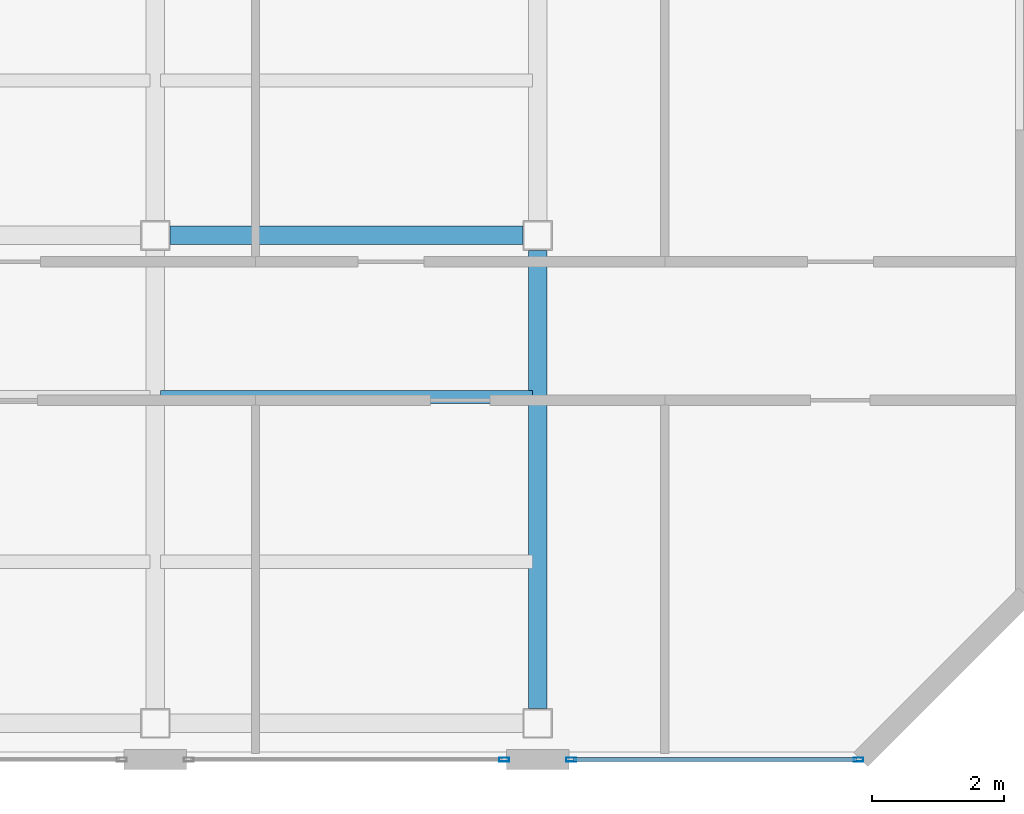
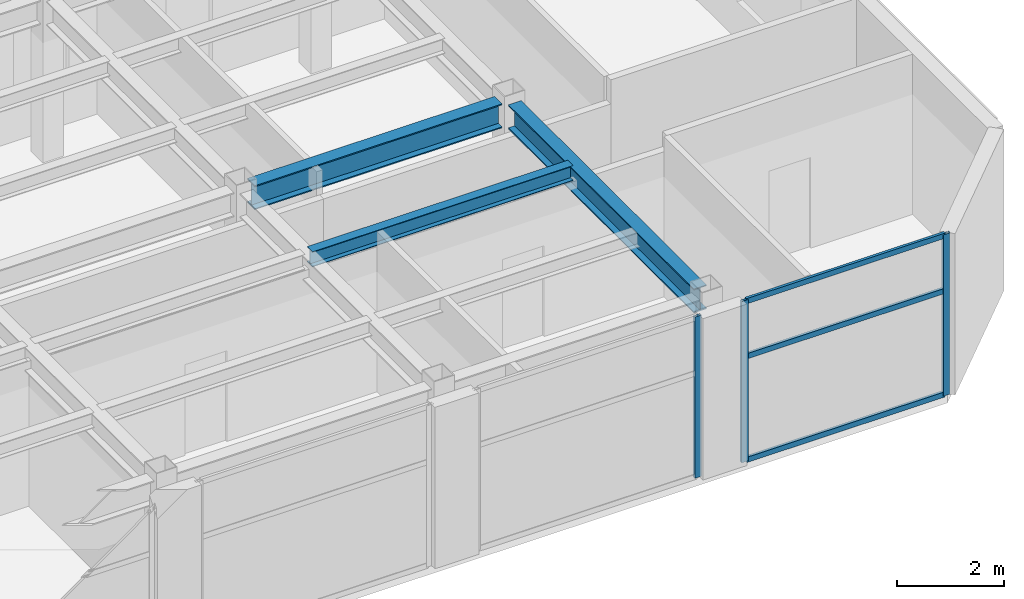
# One storey, part 7 of 16: 6 members, 3 beams, 2 elements without a shape of their own.
"""IFC4 building model written with IfcOpenShell, lengths in metres."""

from ifc_helpers import new_model, si_unit, direction, frame, origin, origin_2d, place, context, subcontext, project, spatial, hollow_rectangle, i_section, extrude, material, layer, layer_set, material_profile, profile_set, type_object, element, aggregate, save


model = new_model("IFC4")

# Units and contexts
model_context = context("Model", 3, precision=1e-05, world=origin(), true_north=direction((0.0, 1.0)))
body_context = subcontext(model_context, "Body", "Model", "MODEL_VIEW")
ifc_project = project(units=[si_unit("LENGTHUNIT", "METRE"), si_unit("AREAUNIT", "SQUARE_METRE"), si_unit("VOLUMEUNIT", "CUBIC_METRE"), si_unit("PLANEANGLEUNIT", "RADIAN"), si_unit("MASSUNIT", "GRAM", prefix="KILO")], contexts=[model_context])

# Site, building, storey
site_placement = place(None, origin())
site = spatial("IfcSite", under=ifc_project, at=site_placement, CompositionType="ELEMENT")
building_placement = place(site_placement, origin())
building = spatial("IfcBuilding", under=site, at=building_placement, Name="Mawjaban Terraces University", CompositionType="ELEMENT")
storey_placement = place(building_placement, frame((0.0, 0.0, 230.39990234375)))
storey = spatial("IfcBuildingStorey", under=building, at=storey_placement, Name="L56", CompositionType="ELEMENT", Elevation=230.39990234375)

# Beams
ifc_material_1 = material(Name="Steel ASTM A572 Grade 50", Category="steel")
ifc_material_profile_1 = material_profile(ifc_material_1, i_section(OverallWidth=0.281005859375, OverallDepth=0.551025390625, WebThickness=0.01513671875, FlangeThickness=0.02587890625, at=origin_2d()), Name="W530X182")
ifc_profile_set_1 = profile_set([ifc_material_profile_1], Name="Steel ASTM A572 Grade 50")
beam_type_1 = type_object("IfcBeamType", Name="Beam_B_W530X182", PredefinedType="BEAM", material=ifc_profile_set_1)
beam_1_placement = place(storey_placement, frame((52.22509765625, 7.949951171875, 3.4150390625), z_axis=(1.0, 0.0, 0.0), x_axis=(0.0, 1.0, 0.0)))
element("IfcBeam", 1, at=beam_1_placement, inside=storey, type_object=beam_type_1, Name="L56 Beam BM-L56-EW-06", PredefinedType="BEAM", context=body_context, shape_type="SweptSolid", body=[
    extrude(i_section(OverallWidth=0.281005859375, OverallDepth=0.551025390625, WebThickness=0.01513671875, FlangeThickness=0.02587890625, at=origin_2d()), origin(), (0.0, 0.0, 1.0), 5.349853515625),
])
beam_2_placement = place(storey_placement, frame((57.800048828125, 0.77490234375, 3.4150390625), z_axis=(0.0, 1.0, 0.0), x_axis=(-1.0, 0.0, 0.0)))
element("IfcBeam", 2, at=beam_2_placement, inside=storey, type_object=beam_type_1, Name="L56 Beam BM-L56-NS-14", PredefinedType="BEAM", context=body_context, shape_type="SweptSolid", body=[
    extrude(i_section(OverallWidth=0.281005859375, OverallDepth=0.551025390625, WebThickness=0.01513671875, FlangeThickness=0.02587890625, at=origin_2d()), origin(), (0.0, 0.0, 1.0), 6.9501953125),
])
ifc_material_profile_2 = material_profile(ifc_material_1, i_section(OverallWidth=0.202880859375, OverallDepth=0.346923828125, WebThickness=0.0078125, FlangeThickness=0.013427734375, at=origin_2d()), Name="W360X64")
ifc_profile_set_2 = profile_set([ifc_material_profile_2], Name="Steel ASTM A572 Grade 50")
beam_type_2 = type_object("IfcBeamType", Name="Beam_J_W360X64", PredefinedType="JOIST", material=ifc_profile_set_2)
beam_3_placement = place(storey_placement, frame((52.080078125, 5.5, 3.51708984375), z_axis=(1.0, 0.0, 0.0), x_axis=(0.0, 1.0, 0.0)))
element("IfcBeam", 3, at=beam_3_placement, inside=storey, type_object=beam_type_2, Name="L56 Composite Joist JST-L56-06", PredefinedType="JOIST", context=body_context, shape_type="SweptSolid", body=[
    extrude(i_section(OverallWidth=0.202880859375, OverallDepth=0.346923828125, WebThickness=0.0078125, FlangeThickness=0.013427734375, at=origin_2d()), origin(), (0.0, 0.0, 1.0), 5.639892578125),
])

# Curtain wall, member
ifc_material_2 = material(Name="Anodised aluminium 6063-T6 and solar-control low-E glass", Category="aluminium")
ifc_layer = layer(ifc_material_2, 0.159912109375)
ifc_layer_set = layer_set([ifc_layer], Name="Anodised aluminium 6063-T6 and solar-control low-E glass")
curtain_wall_type = type_object("IfcCurtainWallType", Name="CWSystem_03_NorthWing", PredefinedType="NOTDEFINED", material=ifc_layer_set)
curtain_wall_1_placement = place(storey_placement, origin())
curtain_wall_1 = element("IfcCurtainWall", 4, at=curtain_wall_1_placement, inside=storey, type_object=curtain_wall_type, Name="L56 Curtain Wall CW-03 Run 1.4", PredefinedType="NOTDEFINED")
ifc_material_3 = material(Name="Anodised aluminium 6063-T6", Category="aluminium")
ifc_material_profile_3 = material_profile(ifc_material_3, hollow_rectangle(XDim=0.06005859375, YDim=0.14990234375, WallThickness=0.00390625, at=origin_2d()), Name="ALU150X60X4")
ifc_profile_set_3 = profile_set([ifc_material_profile_3], Name="Anodised aluminium 6063-T6")
member_type_1 = type_object("IfcMemberType", Name="Mullion_CW-03", PredefinedType="MULLION", material=ifc_profile_set_3)
member_1_placement = place(storey_placement, frame((57.29248046875, 0.0, 0.0), z_axis=(0.0, 0.0, 1.0), x_axis=(0.0, 1.0, 0.0)))
member_1 = element("IfcMember", 5, at=member_1_placement, type_object=member_type_1, Name="CW-03 mullion 2", PredefinedType="MULLION", context=body_context, shape_type="SweptSolid", body=[
    extrude(hollow_rectangle(XDim=0.06005859375, YDim=0.14990234375, WallThickness=0.00390625, at=origin_2d()), origin(), (0.0, 0.0, 1.0), 3.690185546875),
])
aggregate(curtain_wall_1, [member_1])

# Curtain wall, members
curtain_wall_2_placement = place(storey_placement, origin())
curtain_wall_2 = element("IfcCurtainWall", 6, at=curtain_wall_2_placement, inside=storey, type_object=curtain_wall_type, Name="L56 Curtain Wall CW-03 Run 1.5", PredefinedType="NOTDEFINED")
member_2_placement = place(storey_placement, frame((58.3076171875, 0.0, 0.0), z_axis=(0.0, 0.0, 1.0), x_axis=(0.0, 1.0, 0.0)))
member_2 = element("IfcMember", 7, at=member_2_placement, type_object=member_type_1, Name="CW-03 mullion 1", PredefinedType="MULLION", context=body_context, shape_type="SweptSolid", body=[
    extrude(hollow_rectangle(XDim=0.06005859375, YDim=0.14990234375, WallThickness=0.00390625, at=origin_2d()), origin(), (0.0, 0.0, 1.0), 3.690185546875),
])
member_3_placement = place(storey_placement, frame((62.66748046875, 0.0, 0.0), z_axis=(0.0, 0.0, 1.0), x_axis=(0.0, 1.0, 0.0)))
member_3 = element("IfcMember", 8, at=member_3_placement, type_object=member_type_1, Name="CW-03 mullion 2", PredefinedType="MULLION", context=body_context, shape_type="SweptSolid", body=[
    extrude(hollow_rectangle(XDim=0.06005859375, YDim=0.14990234375, WallThickness=0.00390625, at=origin_2d()), origin(), (0.0, 0.0, 1.0), 3.690185546875),
])
ifc_material_profile_4 = material_profile(ifc_material_3, hollow_rectangle(XDim=0.06005859375, YDim=0.1201171875, WallThickness=0.00341796875, at=origin_2d()), Name="ALU120X60X3.5")
ifc_profile_set_4 = profile_set([ifc_material_profile_4], Name="Anodised aluminium 6063-T6")
member_type_2 = type_object("IfcMemberType", Name="Transom_CW-03", PredefinedType="NOTDEFINED", material=ifc_profile_set_4)
member_4_placement = place(storey_placement, frame((58.340087890625, 0.0, 0.030029296875), z_axis=(1.0, 0.0, 0.0), x_axis=(0.0, 1.0, 0.0)))
member_4 = element("IfcMember", 9, at=member_4_placement, type_object=member_type_2, Name="CW-03 transom 1.1", ObjectType="TRANSOM", PredefinedType="USERDEFINED", context=body_context, shape_type="SweptSolid", body=[
    extrude(hollow_rectangle(XDim=0.06005859375, YDim=0.1201171875, WallThickness=0.00341796875, at=origin_2d()), origin(), (0.0, 0.0, 1.0), 4.294921875),
])
member_5_placement = place(storey_placement, frame((58.340087890625, 0.0, 2.398193359375), z_axis=(1.0, 0.0, 0.0), x_axis=(0.0, 1.0, 0.0)))
member_5 = element("IfcMember", 10, at=member_5_placement, type_object=member_type_2, Name="CW-03 transom 1.2", ObjectType="TRANSOM", PredefinedType="USERDEFINED", context=body_context, shape_type="SweptSolid", body=[
    extrude(hollow_rectangle(XDim=0.06005859375, YDim=0.1201171875, WallThickness=0.00341796875, at=origin_2d()), origin(), (0.0, 0.0, 1.0), 4.294921875),
])
member_6_placement = place(storey_placement, frame((58.340087890625, 0.0, 3.66015625), z_axis=(1.0, 0.0, 0.0), x_axis=(0.0, 1.0, 0.0)))
member_6 = element("IfcMember", 11, at=member_6_placement, type_object=member_type_2, Name="CW-03 transom 1.3", ObjectType="TRANSOM", PredefinedType="USERDEFINED", context=body_context, shape_type="SweptSolid", body=[
    extrude(hollow_rectangle(XDim=0.06005859375, YDim=0.1201171875, WallThickness=0.00341796875, at=origin_2d()), origin(), (0.0, 0.0, 1.0), 4.294921875),
])
aggregate(curtain_wall_2, [member_2, member_3, member_4, member_5, member_6])

save(model, "model.ifc")
